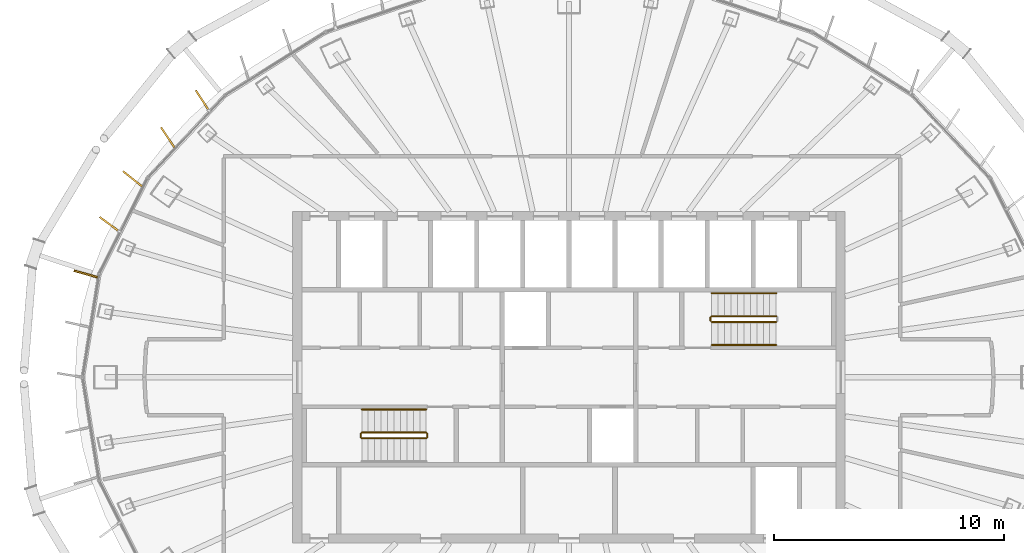
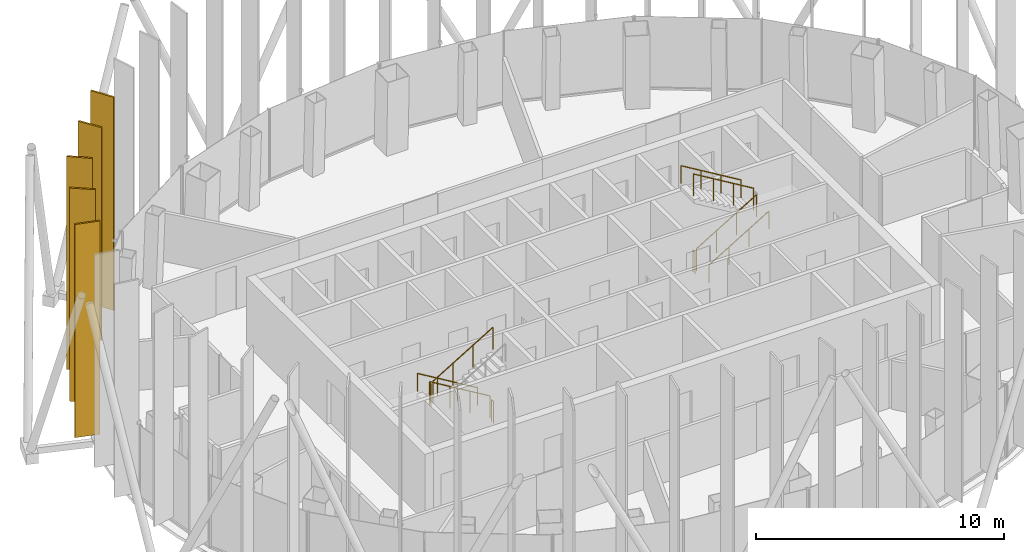
# One storey, part 17 of 19: 10 railings, 5 shading devices.
"""IFC4 building model written with IfcOpenShell, lengths in metres."""

from ifc_helpers import new_model, si_unit, direction, frame, origin, origin_2d, place, context, subcontext, project, spatial, rectangle, circle, extrude, material, layer, layer_set, type_object, element, save


model = new_model("IFC4")

# Units and contexts
model_context = context("Model", 3, precision=1e-05, world=origin(), true_north=direction((0.0, 1.0)))
body_context = subcontext(model_context, "Body", "Model", "MODEL_VIEW")
ifc_project = project(units=[si_unit("LENGTHUNIT", "METRE"), si_unit("AREAUNIT", "SQUARE_METRE"), si_unit("VOLUMEUNIT", "CUBIC_METRE"), si_unit("PLANEANGLEUNIT", "RADIAN"), si_unit("MASSUNIT", "GRAM", prefix="KILO")], contexts=[model_context])

# Site, building, storey
site_placement = place(None, origin())
site = spatial("IfcSite", under=ifc_project, at=site_placement, CompositionType="ELEMENT")
building_placement = place(site_placement, origin())
building = spatial("IfcBuilding", under=site, at=building_placement, Name="Siaravel Broadcast Tower", CompositionType="ELEMENT")
storey_placement = place(building_placement, frame((0.0, 0.0, 239.300048828125)))
storey = spatial("IfcBuildingStorey", under=building, at=storey_placement, Name="L58", CompositionType="ELEMENT", Elevation=239.300048828125)

# Shading devices
ifc_material_1 = material(Name="Bronze anodised aluminium", Category="aluminium")
ifc_layer = layer(ifc_material_1, 0.080078125)
ifc_layer_set = layer_set([ifc_layer], Name="Bronze anodised aluminium")
shading_device_type = type_object("IfcShadingDeviceType", Name="Bronze fin zone 4", PredefinedType="USERDEFINED", material=ifc_layer_set)
for number, where, z_axis, x_axis, name in (
    (1, (-15.923828125, 12.023681640625, 0.300048828125), (0.0, 0.0, 1.0), (-0.543789777, 0.839221471, 0.0), "Bronze fin L58-22"),
    (2, (-17.42919921875, 10.4189453125, 0.300048828125), (0.0, 0.0, 1.0), (-0.554179219, 0.832397377, 0.0), "Bronze fin L58-23"),
    (3, (-18.956787109375, 8.62060546875, 0.300048828125), (0.0, 0.0, 1.0), (-0.781545516, 0.623848224, 0.0), "Bronze fin L58-24"),
    (4, (-19.958984375, 6.646728515625, 0.300048828125), (0.0, 0.0, 1.0), (-0.804942473, 0.593352859, 0.0), "Bronze fin L58-25"),
    (5, (-20.993408203125, 4.4873046875, 0.300048828125), (0.0, 0.0, 1.0), (-0.961614497, 0.274404007, 0.0), "Bronze fin L58-26"),
):
    element("IfcShadingDevice", number, at=place(storey_placement, frame(where, z_axis=z_axis, x_axis=x_axis)), inside=storey, type_object=shading_device_type, Name=name, ObjectType="FIN", PredefinedType="USERDEFINED", context=body_context, shape_type="SweptSolid", body=[
        extrude(rectangle(XDim=1.050048828125, YDim=0.080078125, at=origin_2d()), origin(), (0.0, 0.0, 1.0), 10.5),
    ])

# Railings
ifc_material_2 = material(Name="Stainless steel 316L", Category="steel")
railing_type_1 = type_object("IfcRailingType", Name="Stair guard 1100", PredefinedType="GUARDRAIL", material=ifc_material_2)
railing_1_placement = place(storey_placement, frame((-6.199951171875, -2.39990234375, 0.168212890625)))
element("IfcRailing", 6, at=railing_1_placement, inside=storey, type_object=railing_type_1, Name="L58 ST-1 stair guard 1", PredefinedType="GUARDRAIL", context=body_context, shape_type="SweptSolid", body=[
    extrude(circle(Radius=0.02392578125, at=origin_2d()), frame((0.0, 0.0, 1.076171875), z_axis=(-0.857275203, 0.0, 0.514858453), x_axis=(0.0, -1.0, 0.0)), (0.0, 0.0, 1.0), 3.26611328125),
    extrude(circle(Radius=0.02099609375, at=origin_2d()), origin(), (0.0, 0.0, 1.0), 1.052001953125),
    extrude(circle(Radius=0.02099609375, at=origin_2d()), frame((-0.933349609375, 0.0, 0.560546875)), (0.0, 0.0, 1.0), 1.052001953125),
    extrude(circle(Radius=0.02099609375, at=origin_2d()), frame((-1.86669921875, 0.0, 1.12109375)), (0.0, 0.0, 1.0), 1.052001953125),
    extrude(circle(Radius=0.02099609375, at=origin_2d()), frame((-2.800048828125, 0.0, 1.681640625)), (0.0, 0.0, 1.0), 1.052001953125),
])
railing_2_placement = place(storey_placement, frame((-9.050048828125, -2.449951171875, 1.849853515625)))
element("IfcRailing", 7, at=railing_2_placement, inside=storey, type_object=railing_type_1, Name="L58 ST-1 stair guard 2", PredefinedType="GUARDRAIL", context=body_context, shape_type="SweptSolid", body=[
    extrude(circle(Radius=0.02392578125, at=origin_2d()), frame((0.0, 0.0, 1.076171875), z_axis=(0.0, -1.0, 0.0), x_axis=(1.0, 0.0, 0.0)), (0.0, 0.0, 1.0), 0.150146484375),
    extrude(circle(Radius=0.02099609375, at=origin_2d()), origin(), (0.0, 0.0, 1.0), 1.052001953125),
    extrude(circle(Radius=0.02099609375, at=origin_2d()), frame((0.0, -0.150146484375, 0.0)), (0.0, 0.0, 1.0), 1.052001953125),
])
railing_3_placement = place(storey_placement, frame((-9.0, -2.64990234375, 2.01806640625)))
element("IfcRailing", 8, at=railing_3_placement, inside=storey, type_object=railing_type_1, Name="L58 ST-1 stair guard 3", PredefinedType="GUARDRAIL", context=body_context, shape_type="SweptSolid", body=[
    extrude(circle(Radius=0.02392578125, at=origin_2d()), frame((0.0, 0.0, 1.076171875), z_axis=(0.857242211, 0.0, 0.514913383), x_axis=(0.0, 1.0, 0.0)), (0.0, 0.0, 1.0), 3.266357421875),
    extrude(circle(Radius=0.02099609375, at=origin_2d()), origin(), (0.0, 0.0, 1.0), 1.052001953125),
    extrude(circle(Radius=0.02099609375, at=origin_2d()), frame((0.933349609375, 0.0, 0.560546875)), (0.0, 0.0, 1.0), 1.052001953125),
    extrude(circle(Radius=0.02099609375, at=origin_2d()), frame((1.86669921875, 0.0, 1.121337890625)), (0.0, 0.0, 1.0), 1.052001953125),
    extrude(circle(Radius=0.02099609375, at=origin_2d()), frame((2.800048828125, 0.0, 1.681884765625)), (0.0, 0.0, 1.0), 1.052001953125),
])
railing_4_placement = place(storey_placement, frame((-6.14990234375, -2.449951171875, 0.0)))
element("IfcRailing", 9, at=railing_4_placement, inside=storey, type_object=railing_type_1, Name="L58 ST-1 stair guard 4", PredefinedType="GUARDRAIL", context=body_context, shape_type="SweptSolid", body=[
    extrude(circle(Radius=0.02392578125, at=origin_2d()), frame((0.0, 0.0, 1.076171875), z_axis=(0.0, -1.0, 0.0), x_axis=(1.0, 0.0, 0.0)), (0.0, 0.0, 1.0), 0.150146484375),
    extrude(circle(Radius=0.02099609375, at=origin_2d()), origin(), (0.0, 0.0, 1.0), 1.052001953125),
    extrude(circle(Radius=0.02099609375, at=origin_2d()), frame((0.0, -0.150146484375, 0.0)), (0.0, 0.0, 1.0), 1.052001953125),
])
railing_5_placement = place(storey_placement, frame((6.199951171875, 2.39990234375, 0.168212890625)))
element("IfcRailing", 10, at=railing_5_placement, inside=storey, type_object=railing_type_1, Name="L58 ST-2 stair guard 1", PredefinedType="GUARDRAIL", context=body_context, shape_type="SweptSolid", body=[
    extrude(circle(Radius=0.02392578125, at=origin_2d()), frame((0.0, 0.0, 1.076171875), z_axis=(0.857275203, 0.0, 0.514858453), x_axis=(0.0, 1.0, 0.0)), (0.0, 0.0, 1.0), 3.26611328125),
    extrude(circle(Radius=0.02099609375, at=origin_2d()), origin(), (0.0, 0.0, 1.0), 1.052001953125),
    extrude(circle(Radius=0.02099609375, at=origin_2d()), frame((0.933349609375, 0.0, 0.560546875)), (0.0, 0.0, 1.0), 1.052001953125),
    extrude(circle(Radius=0.02099609375, at=origin_2d()), frame((1.86669921875, 0.0, 1.12109375)), (0.0, 0.0, 1.0), 1.052001953125),
    extrude(circle(Radius=0.02099609375, at=origin_2d()), frame((2.800048828125, 0.0, 1.681640625)), (0.0, 0.0, 1.0), 1.052001953125),
])
railing_6_placement = place(storey_placement, frame((9.0, 2.64990234375, 2.01806640625)))
element("IfcRailing", 11, at=railing_6_placement, inside=storey, type_object=railing_type_1, Name="L58 ST-2 stair guard 3", PredefinedType="GUARDRAIL", context=body_context, shape_type="SweptSolid", body=[
    extrude(circle(Radius=0.02392578125, at=origin_2d()), frame((0.0, 0.0, 1.076171875), z_axis=(-0.857242211, 0.0, 0.514913383), x_axis=(0.0, -1.0, 0.0)), (0.0, 0.0, 1.0), 3.266357421875),
    extrude(circle(Radius=0.02099609375, at=origin_2d()), origin(), (0.0, 0.0, 1.0), 1.052001953125),
    extrude(circle(Radius=0.02099609375, at=origin_2d()), frame((-0.933349609375, 0.0, 0.560546875)), (0.0, 0.0, 1.0), 1.052001953125),
    extrude(circle(Radius=0.02099609375, at=origin_2d()), frame((-1.86669921875, 0.0, 1.121337890625)), (0.0, 0.0, 1.0), 1.052001953125),
    extrude(circle(Radius=0.02099609375, at=origin_2d()), frame((-2.800048828125, 0.0, 1.681884765625)), (0.0, 0.0, 1.0), 1.052001953125),
])
railing_7_placement = place(storey_placement, frame((6.14990234375, 2.449951171875, 0.0)))
element("IfcRailing", 12, at=railing_7_placement, inside=storey, type_object=railing_type_1, Name="L58 ST-2 stair guard 4", PredefinedType="GUARDRAIL", context=body_context, shape_type="SweptSolid", body=[
    extrude(circle(Radius=0.02392578125, at=origin_2d()), frame((0.0, 0.0, 1.076171875), z_axis=(0.0, 1.0, 0.0), x_axis=(-1.0, 0.0, 0.0)), (0.0, 0.0, 1.0), 0.150146484375),
    extrude(circle(Radius=0.02099609375, at=origin_2d()), origin(), (0.0, 0.0, 1.0), 1.052001953125),
    extrude(circle(Radius=0.02099609375, at=origin_2d()), frame((0.0, 0.150146484375, 0.0)), (0.0, 0.0, 1.0), 1.052001953125),
])
railing_type_2 = type_object("IfcRailingType", Name="Stair handrail 900", PredefinedType="HANDRAIL", material=ifc_material_2)
railing_8_placement = place(storey_placement, frame((-6.199951171875, -1.39990234375, 0.168212890625)))
element("IfcRailing", 13, at=railing_8_placement, inside=storey, type_object=railing_type_2, Name="L58 ST-1 stair handrail 1", PredefinedType="HANDRAIL", context=body_context, shape_type="SweptSolid", body=[
    extrude(circle(Radius=0.02392578125, at=origin_2d()), frame((0.0, 0.0, 0.8759765625), z_axis=(-0.857275203, 0.0, 0.514858453), x_axis=(0.0, -1.0, 0.0)), (0.0, 0.0, 1.0), 3.26611328125),
    extrude(circle(Radius=0.02099609375, at=origin_2d()), origin(), (0.0, 0.0, 1.0), 0.851806640625),
    extrude(circle(Radius=0.02099609375, at=origin_2d()), frame((-0.933349609375, 0.0, 0.560546875)), (0.0, 0.0, 1.0), 0.851806640625),
    extrude(circle(Radius=0.02099609375, at=origin_2d()), frame((-1.86669921875, 0.0, 1.12109375)), (0.0, 0.0, 1.0), 0.851806640625),
    extrude(circle(Radius=0.02099609375, at=origin_2d()), frame((-2.800048828125, 0.0, 1.681640625)), (0.0, 0.0, 1.0), 0.851806640625),
])
railing_9_placement = place(storey_placement, frame((6.199951171875, 1.39990234375, 0.168212890625)))
element("IfcRailing", 14, at=railing_9_placement, inside=storey, type_object=railing_type_2, Name="L58 ST-2 stair handrail 1", PredefinedType="HANDRAIL", context=body_context, shape_type="SweptSolid", body=[
    extrude(circle(Radius=0.02392578125, at=origin_2d()), frame((0.0, 0.0, 0.8759765625), z_axis=(0.857275203, 0.0, 0.514858453), x_axis=(0.0, 1.0, 0.0)), (0.0, 0.0, 1.0), 3.26611328125),
    extrude(circle(Radius=0.02099609375, at=origin_2d()), origin(), (0.0, 0.0, 1.0), 0.851806640625),
    extrude(circle(Radius=0.02099609375, at=origin_2d()), frame((0.933349609375, 0.0, 0.560546875)), (0.0, 0.0, 1.0), 0.851806640625),
    extrude(circle(Radius=0.02099609375, at=origin_2d()), frame((1.86669921875, 0.0, 1.12109375)), (0.0, 0.0, 1.0), 0.851806640625),
    extrude(circle(Radius=0.02099609375, at=origin_2d()), frame((2.800048828125, 0.0, 1.681640625)), (0.0, 0.0, 1.0), 0.851806640625),
])
railing_10_placement = place(storey_placement, frame((9.0, 3.64990234375, 2.01806640625)))
element("IfcRailing", 15, at=railing_10_placement, inside=storey, type_object=railing_type_2, Name="L58 ST-2 stair handrail 2", PredefinedType="HANDRAIL", context=body_context, shape_type="SweptSolid", body=[
    extrude(circle(Radius=0.02392578125, at=origin_2d()), frame((0.0, 0.0, 0.8759765625), z_axis=(-0.857242211, 0.0, 0.514913383), x_axis=(0.0, -1.0, 0.0)), (0.0, 0.0, 1.0), 3.266357421875),
    extrude(circle(Radius=0.02099609375, at=origin_2d()), origin(), (0.0, 0.0, 1.0), 0.851806640625),
    extrude(circle(Radius=0.02099609375, at=origin_2d()), frame((-0.933349609375, 0.0, 0.560546875)), (0.0, 0.0, 1.0), 0.851806640625),
    extrude(circle(Radius=0.02099609375, at=origin_2d()), frame((-1.86669921875, 0.0, 1.121337890625)), (0.0, 0.0, 1.0), 0.851806640625),
    extrude(circle(Radius=0.02099609375, at=origin_2d()), frame((-2.800048828125, 0.0, 1.681884765625)), (0.0, 0.0, 1.0), 0.851806640625),
])

save(model, "model.ifc")
